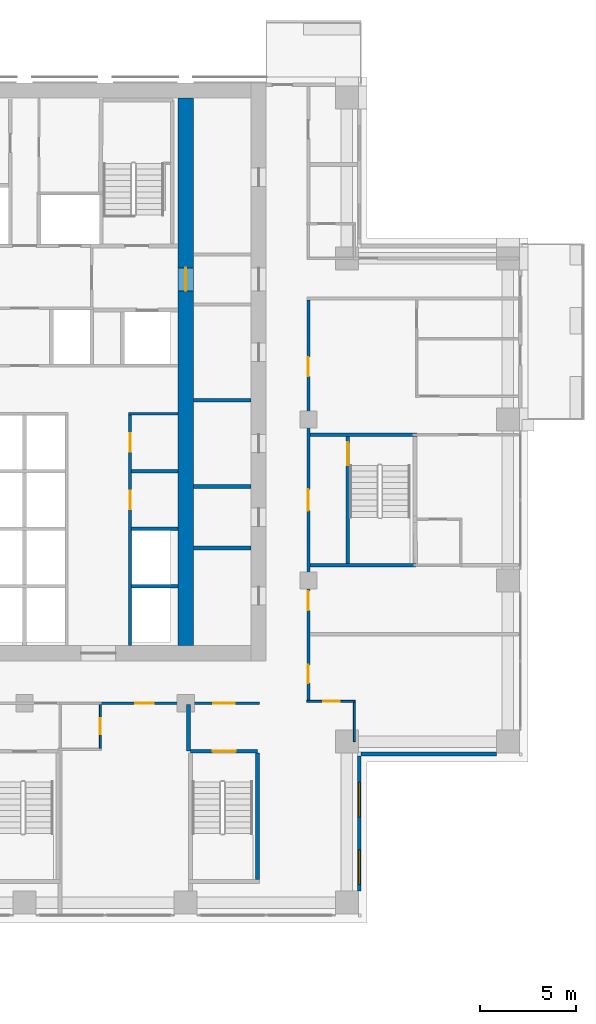
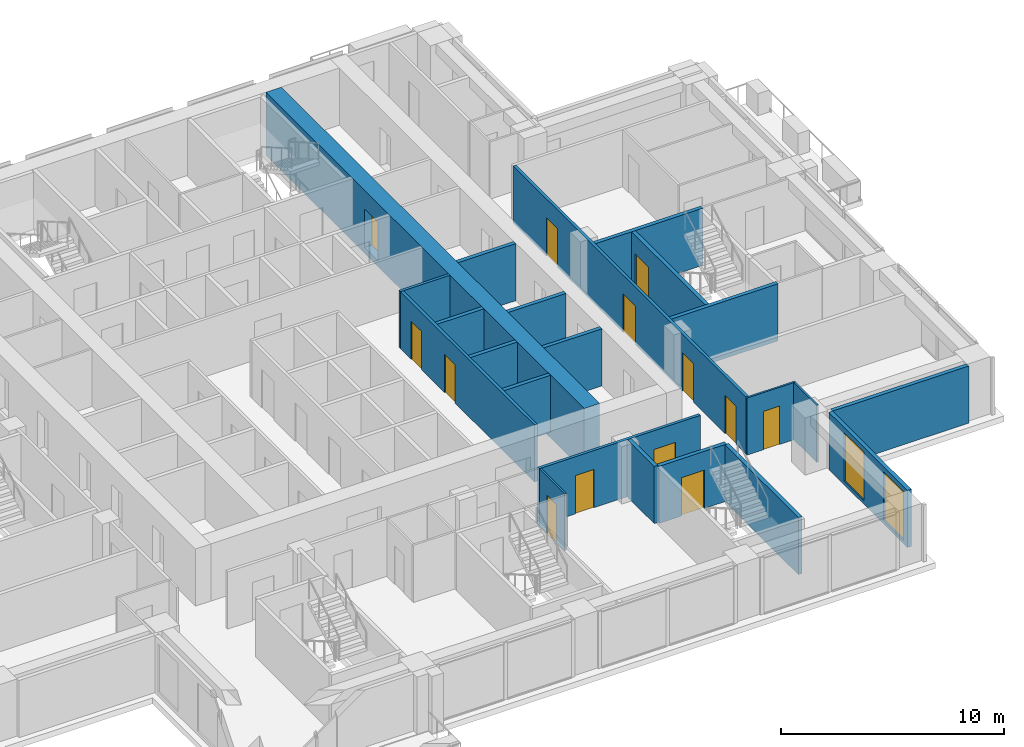
# One storey, part 9 of 17: 22 walls, 13 doors, 2 windows, 15 openings.
"""IFC4 building model written with IfcOpenShell, lengths in metres."""

from ifc_helpers import new_model, si_unit, direction, frame, frame_2d, origin, place, context, subcontext, project, spatial, rectangle, extrude, material, layer, layer_set, type_object, element, fill, save


model = new_model("IFC4")

# Units and contexts
model_context = context("Model", 3, precision=1e-05, world=origin(), true_north=direction((0.0, 1.0)))
body_context = subcontext(model_context, "Body", "Model", "MODEL_VIEW")
ifc_project = project(units=[si_unit("LENGTHUNIT", "METRE"), si_unit("AREAUNIT", "SQUARE_METRE"), si_unit("VOLUMEUNIT", "CUBIC_METRE"), si_unit("PLANEANGLEUNIT", "RADIAN"), si_unit("MASSUNIT", "GRAM", prefix="KILO")], contexts=[model_context])

# Site, building, storey
site_placement = place(None, origin())
site = spatial("IfcSite", under=ifc_project, at=site_placement, CompositionType="ELEMENT")
building_placement = place(site_placement, origin())
building = spatial("IfcBuilding", under=site, at=building_placement, Name="Vermilion Ogive Tower", CompositionType="ELEMENT")
storey_placement = place(building_placement, frame((0.0, 0.0, 87.300048828125)))
storey = spatial("IfcBuildingStorey", under=building, at=storey_placement, Name="L21", CompositionType="ELEMENT", Elevation=87.300048828125)

# Wall, opening, door
ifc_material_1 = material(Name="Concrete B80", Category="concrete")
ifc_layer_1 = layer(ifc_material_1, 0.800048828125)
ifc_layer_set_1 = layer_set([ifc_layer_1], Name="Core wall 800 B80")
wall_type_1 = type_object("IfcWallType", Name="Core wall 800 B80", PredefinedType="SHEAR", material=ifc_layer_set_1)
wall_1_placement = place(storey_placement, frame((8.39990234375, -7.60009765625, -0.320068359375), z_axis=(0.0, 0.0, 1.0), x_axis=(0.0, 1.0, 0.0)))
wall_1 = element("IfcWall", 1, at=wall_1_placement, inside=storey, type_object=wall_type_1, Name="L21-CORE-WEB2", PredefinedType="SHEAR", context=body_context, shape_type="SweptSolid", body=[
    extrude(rectangle(XDim=28.550048828125, YDim=0.800048828125, at=frame_2d((14.27490234375, 0.0))), origin(), (0.0, 0.0, 1.0), 3.449951171875),
])
opening_1_placement = place(wall_1_placement, frame((18.5, 0.0, 0.320068359375)))
opening_1 = element("IfcOpeningElement", 2, at=opening_1_placement, cuts=wall_1, Name="Opening DAO007", PredefinedType="OPENING", context=body_context, shape_type="SweptSolid", body=[
    extrude(rectangle(XDim=1.199951171875, YDim=2.10009765625, at=frame_2d((0.60009765625, 1.050048828125))), frame((0.0, 0.409912109375, 0.0), z_axis=(0.0, -1.0, 0.0), x_axis=(1.0, 0.0, 0.0)), (0.0, 0.0, 1.0), 0.820068359375),
])
ifc_material_2 = material(Name="Timber door leaf", Category="wood")
door_type_1 = type_object("IfcDoorType", Name="Link door 1200 x 2100 FD60S", OperationType="SINGLE_SWING_LEFT", PredefinedType="DOOR", material=ifc_material_2)
door_1_placement = place(opening_1_placement, origin())
door_1 = element("IfcDoor", 3, at=door_1_placement, inside=storey, type_object=door_type_1, Name="L21-CKE-XW", OperationType="SINGLE_SWING_LEFT", OverallHeight=2.10009765625, OverallWidth=1.199951171875, PredefinedType="DOOR", context=body_context, shape_type="SweptSolid", body=[
    extrude(rectangle(XDim=1.199951171875, YDim=2.10009765625, at=frame_2d((0.60009765625, 1.050048828125))), frame((0.0, 0.02490234375, 0.0), z_axis=(0.0, -1.0, 0.0), x_axis=(1.0, 0.0, 0.0)), (0.0, 0.0, 1.0), 0.050048828125),
])
fill(opening_1, door_1)

ifc_material_3 = material(Name="Gypsum board partition on steel studs", Category="steel")
ifc_layer_2 = layer(ifc_material_3, 0.10009765625)
ifc_layer_set_2 = layer_set([ifc_layer_2], Name="Partition 100 bath")
wall_type_2 = type_object("IfcWallType", Name="Partition 100 bath", PredefinedType="PARTITIONING", material=ifc_layer_set_2)
wall_2_placement = place(storey_placement, frame((14.72509765625, -10.5, 0.0), z_axis=(0.0, 0.0, 1.0), x_axis=(1.0, 0.0, 0.0)))
wall_2 = element("IfcWall", 4, at=wall_2_placement, inside=storey, type_object=wall_type_2, Name="L21-W-W012", PredefinedType="PARTITIONING", context=body_context, shape_type="SweptSolid", body=[
    extrude(rectangle(XDim=2.52490234375, YDim=0.10009765625, at=frame_2d((1.262451171875, 0.0))), origin(), (0.0, 0.0, 1.0), 3.1298828125),
])
opening_2_placement = place(wall_2_placement, frame((0.849853515625, 0.0, 0.0)))
opening_2 = element("IfcOpeningElement", 5, at=opening_2_placement, cuts=wall_2, Name="Opening D2G1014", PredefinedType="OPENING", context=body_context, shape_type="SweptSolid", body=[
    extrude(rectangle(XDim=0.85009765625, YDim=2.10009765625, at=frame_2d((0.425048828125, 1.050048828125))), frame((0.0, 0.06005859375, 0.0), z_axis=(0.0, -1.0, 0.0), x_axis=(1.0, 0.0, 0.0)), (0.0, 0.0, 1.0), 0.1201171875),
])
ifc_material_4 = material(Name="Timber door leaf", Category="wood")
door_type_2 = type_object("IfcDoorType", Name="Bath door 850 x 2100 FD30", OperationType="SINGLE_SWING_LEFT", PredefinedType="DOOR", material=ifc_material_4)
door_2_placement = place(opening_2_placement, origin())
door_2 = element("IfcDoor", 6, at=door_2_placement, inside=storey, type_object=door_type_2, Name="L21-D-D014", OperationType="SINGLE_SWING_RIGHT", OverallHeight=2.10009765625, OverallWidth=0.85009765625, PredefinedType="DOOR", context=body_context, shape_type="SweptSolid", body=[
    extrude(rectangle(XDim=0.85009765625, YDim=2.10009765625, at=frame_2d((0.425048828125, 1.050048828125))), frame((0.0, 0.02490234375, 0.0), z_axis=(0.0, -1.0, 0.0), x_axis=(1.0, 0.0, 0.0)), (0.0, 0.0, 1.0), 0.050048828125),
])
fill(opening_2, door_2)

wall_3_placement = place(storey_placement, frame((3.949951171875, -12.949951171875, 0.0), z_axis=(0.0, 0.0, 1.0), x_axis=(0.0, 1.0, 0.0)))
wall_3 = element("IfcWall", 7, at=wall_3_placement, inside=storey, type_object=wall_type_2, Name="L21-W-W055", PredefinedType="PARTITIONING", context=body_context, shape_type="SweptSolid", body=[
    extrude(rectangle(XDim=2.27490234375, YDim=0.10009765625, at=frame_2d((1.137451171875, 0.0))), origin(), (0.0, 0.0, 1.0), 3.1298828125),
])
opening_3_placement = place(wall_3_placement, frame((0.724853515625, 0.0, 0.0)))
opening_3 = element("IfcOpeningElement", 8, at=opening_3_placement, cuts=wall_3, Name="Opening D2G1012", PredefinedType="OPENING", context=body_context, shape_type="SweptSolid", body=[
    extrude(rectangle(XDim=0.85009765625, YDim=2.10009765625, at=frame_2d((0.425048828125, 1.050048828125))), frame((0.0, 0.06005859375, 0.0), z_axis=(0.0, -1.0, 0.0), x_axis=(1.0, 0.0, 0.0)), (0.0, 0.0, 1.0), 0.1201171875),
])
door_3_placement = place(opening_3_placement, origin())
door_3 = element("IfcDoor", 9, at=door_3_placement, inside=storey, type_object=door_type_2, Name="L21-D-D012", OperationType="SINGLE_SWING_LEFT", OverallHeight=2.10009765625, OverallWidth=0.85009765625, PredefinedType="DOOR", context=body_context, shape_type="SweptSolid", body=[
    extrude(rectangle(XDim=0.85009765625, YDim=2.10009765625, at=frame_2d((0.425048828125, 1.050048828125))), frame((0.0, 0.02490234375, 0.0), z_axis=(0.0, -1.0, 0.0), x_axis=(1.0, 0.0, 0.0)), (0.0, 0.0, 1.0), 0.050048828125),
])
fill(opening_3, door_3)

# Wall
wall_4_placement = place(storey_placement, frame((17.199951171875, -12.60009765625, 0.0), z_axis=(0.0, 0.0, 1.0), x_axis=(0.0, 1.0, 0.0)))
element("IfcWall", 10, at=wall_4_placement, inside=storey, type_object=wall_type_2, Name="L21-W-W061", PredefinedType="PARTITIONING", context=body_context, shape_type="SweptSolid", body=[
    extrude(rectangle(XDim=2.050048828125, YDim=0.10009765625, at=frame_2d((1.02490234375, 0.0))), origin(), (0.0, 0.0, 1.0), 3.1298828125),
])

# Wall, openings, doors
ifc_material_5 = material(Name="Gypsum board partition on steel studs", Category="steel")
ifc_layer_3 = layer(ifc_material_5, 0.14990234375)
ifc_layer_set_3 = layer_set([ifc_layer_3], Name="Partition 150 corridor")
wall_type_3 = type_object("IfcWallType", Name="Partition 150 corridor", PredefinedType="PARTITIONING", material=ifc_layer_set_3)
wall_5_placement = place(storey_placement, frame((3.89990234375, -10.60009765625, 0.0), z_axis=(0.0, 0.0, 1.0), x_axis=(1.0, 0.0, 0.0)))
wall_5 = element("IfcWall", 11, at=wall_5_placement, inside=storey, type_object=wall_type_3, Name="L21-W-W011", PredefinedType="PARTITIONING", context=body_context, shape_type="SweptSolid", body=[
    extrude(rectangle(XDim=8.35009765625, YDim=0.14990234375, at=frame_2d((4.175048828125, 0.0))), origin(), (0.0, 0.0, 1.0), 3.1298828125),
])
opening_4_placement = place(wall_5_placement, frame((1.875, 0.0, 0.0)))
opening_4 = element("IfcOpeningElement", 12, at=opening_4_placement, cuts=wall_5, Name="Opening D2G1011", PredefinedType="OPENING", context=body_context, shape_type="SweptSolid", body=[
    extrude(rectangle(XDim=0.949951171875, YDim=2.10009765625, at=frame_2d((0.47509765625, 1.050048828125))), frame((0.0, 0.0849609375, 0.0), z_axis=(0.0, -1.0, 0.0), x_axis=(1.0, 0.0, 0.0)), (0.0, 0.0, 1.0), 0.169921875),
])
opening_5_placement = place(wall_5_placement, frame((5.9501953125, 0.0, 0.0)))
opening_5 = element("IfcOpeningElement", 13, at=opening_5_placement, cuts=wall_5, Name="Opening D2G1027", PredefinedType="OPENING", context=body_context, shape_type="SweptSolid", body=[
    extrude(rectangle(XDim=1.10009765625, YDim=2.10009765625, at=frame_2d((0.550048828125, 1.050048828125))), frame((0.0, 0.0849609375, 0.0), z_axis=(0.0, -1.0, 0.0), x_axis=(1.0, 0.0, 0.0)), (0.0, 0.0, 1.0), 0.169921875),
])
ifc_material_6 = material(Name="Timber door leaf", Category="wood")
door_type_3 = type_object("IfcDoorType", Name="Stair door 1100 x 2100 FD60S", OperationType="SINGLE_SWING_LEFT", PredefinedType="DOOR", material=ifc_material_6)
door_4_placement = place(opening_5_placement, origin())
door_4 = element("IfcDoor", 14, at=door_4_placement, inside=storey, type_object=door_type_3, Name="L21-D-D027", OperationType="SINGLE_SWING_LEFT", OverallHeight=2.10009765625, OverallWidth=1.10009765625, PredefinedType="DOOR", context=body_context, shape_type="SweptSolid", body=[
    extrude(rectangle(XDim=1.10009765625, YDim=2.10009765625, at=frame_2d((0.550048828125, 1.050048828125))), frame((0.0, 0.02490234375, 0.0), z_axis=(0.0, -1.0, 0.0), x_axis=(1.0, 0.0, 0.0)), (0.0, 0.0, 1.0), 0.050048828125),
])
fill(opening_5, door_4)
ifc_material_7 = material(Name="Timber door leaf", Category="wood")
door_type_4 = type_object("IfcDoorType", Name="Unit door 950 x 2100 FD30S", OperationType="SINGLE_SWING_LEFT", PredefinedType="DOOR", material=ifc_material_7)
door_5_placement = place(opening_4_placement, origin())
door_5 = element("IfcDoor", 15, at=door_5_placement, inside=storey, type_object=door_type_4, Name="L21-D-D011", OperationType="SINGLE_SWING_LEFT", OverallHeight=2.10009765625, OverallWidth=0.949951171875, PredefinedType="DOOR", context=body_context, shape_type="SweptSolid", body=[
    extrude(rectangle(XDim=0.949951171875, YDim=2.10009765625, at=frame_2d((0.47509765625, 1.050048828125))), frame((0.0, 0.02490234375, 0.0), z_axis=(0.0, -1.0, 0.0), x_axis=(1.0, 0.0, 0.0)), (0.0, 0.0, 1.0), 0.050048828125),
])
fill(opening_4, door_5)

wall_6_placement = place(storey_placement, frame((14.800048828125, -10.449951171875, 0.0), z_axis=(0.0, 0.0, 1.0), x_axis=(0.0, 1.0, 0.0)))
wall_6 = element("IfcWall", 16, at=wall_6_placement, inside=storey, type_object=wall_type_3, Name="L21-W-W057", PredefinedType="PARTITIONING", context=body_context, shape_type="SweptSolid", body=[
    extrude(rectangle(XDim=20.875, YDim=0.14990234375, at=frame_2d((10.4375, 0.0))), origin(), (0.0, 0.0, 1.0), 3.1298828125),
])
opening_6_placement = place(wall_6_placement, frame((0.89990234375, 0.0, 0.0)))
opening_6 = element("IfcOpeningElement", 17, at=opening_6_placement, cuts=wall_6, Name="Opening D2G1013", PredefinedType="OPENING", context=body_context, shape_type="SweptSolid", body=[
    extrude(rectangle(XDim=0.949951171875, YDim=2.10009765625, at=frame_2d((0.47509765625, 1.050048828125))), frame((0.0, 0.0849609375, 0.0), z_axis=(0.0, -1.0, 0.0), x_axis=(1.0, 0.0, 0.0)), (0.0, 0.0, 1.0), 0.169921875),
])
opening_7_placement = place(wall_6_placement, frame((16.89990234375, 0.0, 0.0)))
opening_7 = element("IfcOpeningElement", 18, at=opening_7_placement, cuts=wall_6, Name="Opening D2G1017", PredefinedType="OPENING", context=body_context, shape_type="SweptSolid", body=[
    extrude(rectangle(XDim=1.0, YDim=2.10009765625, at=frame_2d((0.5, 1.050048828125))), frame((0.0, 0.0849609375, 0.0), z_axis=(0.0, -1.0, 0.0), x_axis=(1.0, 0.0, 0.0)), (0.0, 0.0, 1.0), 0.169921875),
])
opening_8_placement = place(wall_6_placement, frame((9.89990234375, 0.0, 0.0)))
opening_8 = element("IfcOpeningElement", 19, at=opening_8_placement, cuts=wall_6, Name="Opening D2G1029", PredefinedType="OPENING", context=body_context, shape_type="SweptSolid", body=[
    extrude(rectangle(XDim=1.10009765625, YDim=2.10009765625, at=frame_2d((0.550048828125, 1.050048828125))), frame((0.0, 0.0849609375, 0.0), z_axis=(0.0, -1.0, 0.0), x_axis=(1.0, 0.0, 0.0)), (0.0, 0.0, 1.0), 0.169921875),
])
opening_9_placement = place(wall_6_placement, frame((4.699951171875, 0.0, 0.0)))
opening_9 = element("IfcOpeningElement", 20, at=opening_9_placement, cuts=wall_6, Name="Opening D2G1034", PredefinedType="OPENING", context=body_context, shape_type="SweptSolid", body=[
    extrude(rectangle(XDim=1.0, YDim=2.10009765625, at=frame_2d((0.5, 1.050048828125))), frame((0.0, 0.0849609375, 0.0), z_axis=(0.0, -1.0, 0.0), x_axis=(1.0, 0.0, 0.0)), (0.0, 0.0, 1.0), 0.169921875),
])
door_6_placement = place(opening_8_placement, origin())
door_6 = element("IfcDoor", 21, at=door_6_placement, inside=storey, type_object=door_type_3, Name="L21-D-D029", OperationType="SINGLE_SWING_LEFT", OverallHeight=2.10009765625, OverallWidth=1.10009765625, PredefinedType="DOOR", context=body_context, shape_type="SweptSolid", body=[
    extrude(rectangle(XDim=1.10009765625, YDim=2.10009765625, at=frame_2d((0.550048828125, 1.050048828125))), frame((0.0, 0.02490234375, 0.0), z_axis=(0.0, -1.0, 0.0), x_axis=(1.0, 0.0, 0.0)), (0.0, 0.0, 1.0), 0.050048828125),
])
fill(opening_8, door_6)
ifc_material_8 = material(Name="Timber door leaf", Category="wood")
door_type_5 = type_object("IfcDoorType", Name="Unit door 1000 x 2100 FD30S", OperationType="SINGLE_SWING_LEFT", PredefinedType="DOOR", material=ifc_material_8)
door_7_placement = place(opening_7_placement, origin())
door_7 = element("IfcDoor", 22, at=door_7_placement, inside=storey, type_object=door_type_5, Name="L21-D-D017", OperationType="SINGLE_SWING_RIGHT", OverallHeight=2.10009765625, OverallWidth=1.0, PredefinedType="DOOR", context=body_context, shape_type="SweptSolid", body=[
    extrude(rectangle(XDim=1.0, YDim=2.10009765625, at=frame_2d((0.5, 1.050048828125))), frame((0.0, 0.02490234375, 0.0), z_axis=(0.0, -1.0, 0.0), x_axis=(1.0, 0.0, 0.0)), (0.0, 0.0, 1.0), 0.050048828125),
])
fill(opening_7, door_7)
door_8_placement = place(opening_9_placement, origin())
door_8 = element("IfcDoor", 23, at=door_8_placement, inside=storey, type_object=door_type_5, Name="L21-D-D034", OperationType="SINGLE_SWING_RIGHT", OverallHeight=2.10009765625, OverallWidth=1.0, PredefinedType="DOOR", context=body_context, shape_type="SweptSolid", body=[
    extrude(rectangle(XDim=1.0, YDim=2.10009765625, at=frame_2d((0.5, 1.050048828125))), frame((0.0, 0.02490234375, 0.0), z_axis=(0.0, -1.0, 0.0), x_axis=(1.0, 0.0, 0.0)), (0.0, 0.0, 1.0), 0.050048828125),
])
fill(opening_9, door_8)
door_9_placement = place(opening_6_placement, origin())
door_9 = element("IfcDoor", 24, at=door_9_placement, inside=storey, type_object=door_type_4, Name="L21-D-D013", OperationType="SINGLE_SWING_RIGHT", OverallHeight=2.10009765625, OverallWidth=0.949951171875, PredefinedType="DOOR", context=body_context, shape_type="SweptSolid", body=[
    extrude(rectangle(XDim=0.949951171875, YDim=2.10009765625, at=frame_2d((0.47509765625, 1.050048828125))), frame((0.0, 0.02490234375, 0.0), z_axis=(0.0, -1.0, 0.0), x_axis=(1.0, 0.0, 0.0)), (0.0, 0.0, 1.0), 0.050048828125),
])
fill(opening_6, door_9)

# Wall
wall_7_placement = place(storey_placement, frame((5.425048828125, 4.5, 0.0), z_axis=(0.0, 0.0, 1.0), x_axis=(1.0, 0.0, 0.0)))
element("IfcWall", 25, at=wall_7_placement, inside=storey, type_object=wall_type_3, Name="L21-CK-W-W012", PredefinedType="PARTITIONING", context=body_context, shape_type="SweptSolid", body=[
    extrude(rectangle(XDim=2.573974609375, YDim=0.14990234375, at=frame_2d((1.287109375, 0.0))), origin(), (0.0, 0.0, 1.0), 3.1298828125),
])

# Wall, openings, doors
wall_8_placement = place(storey_placement, frame((5.5, -7.59912109375, 0.0), z_axis=(0.0, 0.0, 1.0), x_axis=(0.0, 1.0, 0.0)))
wall_8 = element("IfcWall", 26, at=wall_8_placement, inside=storey, type_object=wall_type_3, Name="L21-CK-W-W040", PredefinedType="PARTITIONING", context=body_context, shape_type="SweptSolid", body=[
    extrude(rectangle(XDim=12.024169921875, YDim=0.14990234375, at=frame_2d((6.01220703125, 0.0))), origin(), (0.0, 0.0, 1.0), 3.1298828125),
])
opening_10_placement = place(wall_8_placement, frame((7.1240234375, 0.0, 0.0)))
opening_10 = element("IfcOpeningElement", 27, at=opening_10_placement, cuts=wall_8, Name="Opening DAA143", PredefinedType="OPENING", context=body_context, shape_type="SweptSolid", body=[
    extrude(rectangle(XDim=0.949951171875, YDim=2.10009765625, at=frame_2d((0.47509765625, 1.050048828125))), frame((0.0, 0.0849609375, 0.0), z_axis=(0.0, -1.0, 0.0), x_axis=(1.0, 0.0, 0.0)), (0.0, 0.0, 1.0), 0.169921875),
])
opening_11_placement = place(wall_8_placement, frame((10.1240234375, 0.0, 0.0)))
opening_11 = element("IfcOpeningElement", 28, at=opening_11_placement, cuts=wall_8, Name="Opening DAA144", PredefinedType="OPENING", context=body_context, shape_type="SweptSolid", body=[
    extrude(rectangle(XDim=0.949951171875, YDim=2.10009765625, at=frame_2d((0.47509765625, 1.050048828125))), frame((0.0, 0.0849609375, 0.0), z_axis=(0.0, -1.0, 0.0), x_axis=(1.0, 0.0, 0.0)), (0.0, 0.0, 1.0), 0.169921875),
])
ifc_material_9 = material(Name="Timber door leaf", Category="wood")
door_type_6 = type_object("IfcDoorType", Name="Service door 950 x 2100 FD60", OperationType="SINGLE_SWING_LEFT", PredefinedType="DOOR", material=ifc_material_9)
door_10_placement = place(opening_10_placement, origin())
door_10 = element("IfcDoor", 29, at=door_10_placement, inside=storey, type_object=door_type_6, Name="L21-CK-D-D009", OperationType="SINGLE_SWING_RIGHT", OverallHeight=2.10009765625, OverallWidth=0.949951171875, PredefinedType="DOOR", context=body_context, shape_type="SweptSolid", body=[
    extrude(rectangle(XDim=0.949951171875, YDim=2.10009765625, at=frame_2d((0.47509765625, 1.050048828125))), frame((0.0, 0.02490234375, 0.0), z_axis=(0.0, -1.0, 0.0), x_axis=(1.0, 0.0, 0.0)), (0.0, 0.0, 1.0), 0.050048828125),
])
fill(opening_10, door_10)
door_11_placement = place(opening_11_placement, origin())
door_11 = element("IfcDoor", 30, at=door_11_placement, inside=storey, type_object=door_type_6, Name="L21-CK-D-D010", OperationType="SINGLE_SWING_RIGHT", OverallHeight=2.10009765625, OverallWidth=0.949951171875, PredefinedType="DOOR", context=body_context, shape_type="SweptSolid", body=[
    extrude(rectangle(XDim=0.949951171875, YDim=2.10009765625, at=frame_2d((0.47509765625, 1.050048828125))), frame((0.0, 0.02490234375, 0.0), z_axis=(0.0, -1.0, 0.0), x_axis=(1.0, 0.0, 0.0)), (0.0, 0.0, 1.0), 0.050048828125),
])
fill(opening_11, door_11)

# Walls
ifc_material_10 = material(Name="Gypsum board partition on steel studs", Category="steel")
ifc_layer_4 = layer(ifc_material_10, 0.199951171875)
ifc_layer_set_4 = layer_set([ifc_layer_4], Name="Partition 200 party")
wall_type_4 = type_object("IfcWallType", Name="Partition 200 party", PredefinedType="PARTITIONING", material=ifc_layer_set_4)
wall_9_placement = place(storey_placement, frame((8.550048828125, -13.10009765625, 0.0), z_axis=(0.0, 0.0, 1.0), x_axis=(0.0, 1.0, 0.0)))
element("IfcWall", 31, at=wall_9_placement, inside=storey, type_object=wall_type_4, Name="L21-W-W056", PredefinedType="PARTITIONING", context=body_context, shape_type="SweptSolid", body=[
    extrude(rectangle(XDim=2.425048828125, YDim=0.199951171875, at=frame_2d((1.21240234375, 0.0))), origin(), (0.0, 0.0, 1.0), 3.1298828125),
])
for number, where, z_axis, x_axis, name in (
    (32, (5.574951171875, -4.5, 0.0), (0.0, 0.0, 1.0), (1.0, 0.0, 0.0), "L21-CK-W-W003"),
    (33, (5.574951171875, -1.5, 0.0), (0.0, 0.0, 1.0), (1.0, 0.0, 0.0), "L21-CK-W-W006"),
    (34, (5.574951171875, 1.5, 0.0), (0.0, 0.0, 1.0), (1.0, 0.0, 0.0), "L21-CK-W-W009"),
):
    element("IfcWall", number, at=place(storey_placement, frame(where, z_axis=z_axis, x_axis=x_axis)), inside=storey, type_object=wall_type_4, Name=name, PredefinedType="PARTITIONING", context=body_context, shape_type="SweptSolid", body=[
        extrude(rectangle(XDim=2.424072265625, YDim=0.199951171875, at=frame_2d((1.2119140625, 0.0))), origin(), (0.0, 0.0, 1.0), 3.1298828125),
    ])
for number, where, z_axis, x_axis, name in (
    (35, (8.801025390625, -2.5, 0.0), (0.0, 0.0, 1.0), (1.0, 0.0, 0.0), "L21-CKE-W-W001"),
    (36, (8.801025390625, 0.699951171875, 0.0), (0.0, 0.0, 1.0), (1.0, 0.0, 0.0), "L21-CKE-W-W002"),
    (37, (8.801025390625, 5.199951171875, 0.0), (0.0, 0.0, 1.0), (1.0, 0.0, 0.0), "L21-CKE-W-W003"),
):
    element("IfcWall", number, at=place(storey_placement, frame(where, z_axis=z_axis, x_axis=x_axis)), inside=storey, type_object=wall_type_4, Name=name, PredefinedType="PARTITIONING", context=body_context, shape_type="SweptSolid", body=[
        extrude(rectangle(XDim=2.998046875, YDim=0.199951171875, at=frame_2d((1.4990234375, 0.0))), origin(), (0.0, 0.0, 1.0), 3.1298828125),
    ])

# Wall, opening, door
ifc_material_11 = material(Name="Concrete B60", Category="concrete")
ifc_layer_5 = layer(ifc_material_11, 0.199951171875)
ifc_layer_set_5 = layer_set([ifc_layer_5], Name="Stair shaft wall 200 Concrete B60")
wall_type_5 = type_object("IfcWallType", Name="Stair shaft wall 200 Concrete B60", PredefinedType="SOLIDWALL", material=ifc_layer_set_5)
wall_10_placement = place(storey_placement, frame((8.64990234375, -13.10009765625, 0.0), z_axis=(0.0, 0.0, 1.0), x_axis=(1.0, 0.0, 0.0)))
wall_10 = element("IfcWall", 38, at=wall_10_placement, inside=storey, type_object=wall_type_5, Name="L21-W-W004", PredefinedType="SOLIDWALL", context=body_context, shape_type="SweptSolid", body=[
    extrude(rectangle(XDim=3.5, YDim=0.199951171875, at=frame_2d((1.75, 0.0))), origin(), (0.0, 0.0, 1.0), 3.1298828125),
])
opening_12_placement = place(wall_10_placement, frame((1.150146484375, 0.0, 0.0)))
opening_12 = element("IfcOpeningElement", 39, at=opening_12_placement, cuts=wall_10, Name="Opening D2G1028", PredefinedType="OPENING", context=body_context, shape_type="SweptSolid", body=[
    extrude(rectangle(XDim=1.199951171875, YDim=2.10009765625, at=frame_2d((0.60009765625, 1.050048828125))), frame((0.0, 0.10986328125, 0.0), z_axis=(0.0, -1.0, 0.0), x_axis=(1.0, 0.0, 0.0)), (0.0, 0.0, 1.0), 0.219970703125),
])
ifc_material_12 = material(Name="Timber door leaf", Category="wood")
door_type_7 = type_object("IfcDoorType", Name="Stair door 1200 x 2100 FD60S", OperationType="SINGLE_SWING_LEFT", PredefinedType="DOOR", material=ifc_material_12)
door_12_placement = place(opening_12_placement, origin())
door_12 = element("IfcDoor", 40, at=door_12_placement, inside=storey, type_object=door_type_7, Name="L21-D-D028", OperationType="SINGLE_SWING_RIGHT", OverallHeight=2.10009765625, OverallWidth=1.199951171875, PredefinedType="DOOR", context=body_context, shape_type="SweptSolid", body=[
    extrude(rectangle(XDim=1.199951171875, YDim=2.10009765625, at=frame_2d((0.60009765625, 1.050048828125))), frame((0.0, 0.02490234375, 0.0), z_axis=(0.0, -1.0, 0.0), x_axis=(1.0, 0.0, 0.0)), (0.0, 0.0, 1.0), 0.050048828125),
])
fill(opening_12, door_12)

# Walls
wall_11_placement = place(storey_placement, frame((14.875, -3.39990234375, 0.0), z_axis=(0.0, 0.0, 1.0), x_axis=(1.0, 0.0, 0.0)))
element("IfcWall", 41, at=wall_11_placement, inside=storey, type_object=wall_type_5, Name="L21-W-W018", PredefinedType="SOLIDWALL", context=body_context, shape_type="SweptSolid", body=[
    extrude(rectangle(XDim=5.52490234375, YDim=0.199951171875, at=frame_2d((2.762451171875, 0.0))), origin(), (0.0, 0.0, 1.0), 3.1298828125),
])
wall_12_placement = place(storey_placement, frame((14.875, 3.39990234375, 0.0), z_axis=(0.0, 0.0, 1.0), x_axis=(1.0, 0.0, 0.0)))
element("IfcWall", 42, at=wall_12_placement, inside=storey, type_object=wall_type_5, Name="L21-W-W025", PredefinedType="SOLIDWALL", context=body_context, shape_type="SweptSolid", body=[
    extrude(rectangle(XDim=5.574951171875, YDim=0.199951171875, at=frame_2d((2.78759765625, 0.0))), origin(), (0.0, 0.0, 1.0), 3.1298828125),
])

# Wall, opening, door
wall_13_placement = place(storey_placement, frame((16.85009765625, -3.300048828125, 0.0), z_axis=(0.0, 0.0, 1.0), x_axis=(0.0, 1.0, 0.0)))
wall_13 = element("IfcWall", 43, at=wall_13_placement, inside=storey, type_object=wall_type_5, Name="L21-W-W060", PredefinedType="SOLIDWALL", context=body_context, shape_type="SweptSolid", body=[
    extrude(rectangle(XDim=6.60009765625, YDim=0.199951171875, at=frame_2d((3.300048828125, 0.0))), origin(), (0.0, 0.0, 1.0), 3.1298828125),
])
opening_13_placement = place(wall_13_placement, frame((5.10009765625, 0.0, 0.0)))
opening_13 = element("IfcOpeningElement", 44, at=opening_13_placement, cuts=wall_13, Name="Opening D2G1030", PredefinedType="OPENING", context=body_context, shape_type="SweptSolid", body=[
    extrude(rectangle(XDim=1.199951171875, YDim=2.10009765625, at=frame_2d((0.60009765625, 1.050048828125))), frame((0.0, 0.10986328125, 0.0), z_axis=(0.0, -1.0, 0.0), x_axis=(1.0, 0.0, 0.0)), (0.0, 0.0, 1.0), 0.219970703125),
])
door_13_placement = place(opening_13_placement, origin())
door_13 = element("IfcDoor", 45, at=door_13_placement, inside=storey, type_object=door_type_7, Name="L21-D-D030", OperationType="SINGLE_SWING_LEFT", OverallHeight=2.10009765625, OverallWidth=1.199951171875, PredefinedType="DOOR", context=body_context, shape_type="SweptSolid", body=[
    extrude(rectangle(XDim=1.199951171875, YDim=2.10009765625, at=frame_2d((0.60009765625, 1.050048828125))), frame((0.0, 0.02490234375, 0.0), z_axis=(0.0, -1.0, 0.0), x_axis=(1.0, 0.0, 0.0)), (0.0, 0.0, 1.0), 0.050048828125),
])
fill(opening_13, door_13)

# Wall
wall_14_placement = place(storey_placement, frame((12.14990234375, -19.800048828125, 0.0), z_axis=(0.0, 0.0, 1.0), x_axis=(0.0, 1.0, 0.0)))
element("IfcWall", 46, at=wall_14_placement, inside=storey, type_object=wall_type_5, Name="L21-SW-ST5-E1", PredefinedType="SOLIDWALL", context=body_context, shape_type="SweptSolid", body=[
    extrude(rectangle(XDim=6.60009765625, YDim=0.199951171875, at=frame_2d((3.300048828125, 0.0))), origin(), (0.0, 0.0, 1.0), 3.1298828125),
])

# Wall, openings, windows
ifc_material_13 = material(Name="Aluminium window wall framing", Category="aluminium")
ifc_layer_6 = layer(ifc_material_13, 0.199951171875)
ifc_layer_set_6 = layer_set([ifc_layer_6], Name="Window wall")
wall_type_6 = type_object("IfcWallType", Name="Window wall", PredefinedType="STANDARD", material=ifc_layer_set_6)
wall_15_placement = place(storey_placement, frame((17.449951171875, -20.39990234375, 0.0), z_axis=(0.0, 0.0, 1.0), x_axis=(0.0, 1.0, 0.0)))
wall_15 = element("IfcWall", 47, at=wall_15_placement, inside=storey, type_object=wall_type_6, Name="Window wall X11", PredefinedType="STANDARD", context=body_context, shape_type="SweptSolid", body=[
    extrude(rectangle(XDim=7.0498046875, YDim=0.199951171875, at=frame_2d((3.52490234375, 0.0))), origin(), (0.0, 0.0, 1.0), 3.1298828125),
])
opening_14_placement = place(wall_15_placement, frame((0.35009765625, 0.0, 0.199951171875)))
opening_14 = element("IfcOpeningElement", 48, at=opening_14_placement, cuts=wall_15, Name="Opening W1-X195", PredefinedType="OPENING", context=body_context, shape_type="SweptSolid", body=[
    extrude(rectangle(XDim=1.800048828125, YDim=2.64990234375, at=frame_2d((0.89990234375, 1.324951171875))), frame((0.0, 0.10986328125, 0.0), z_axis=(0.0, -1.0, 0.0), x_axis=(1.0, 0.0, 0.0)), (0.0, 0.0, 1.0), 0.219970703125),
])
opening_15_placement = place(wall_15_placement, frame((3.875, 0.0, 0.199951171875)))
opening_15 = element("IfcOpeningElement", 49, at=opening_15_placement, cuts=wall_15, Name="Opening W1-X196", PredefinedType="OPENING", context=body_context, shape_type="SweptSolid", body=[
    extrude(rectangle(XDim=1.800048828125, YDim=2.64990234375, at=frame_2d((0.89990234375, 1.324951171875))), frame((0.0, 0.10986328125, 0.0), z_axis=(0.0, -1.0, 0.0), x_axis=(1.0, 0.0, 0.0)), (0.0, 0.0, 1.0), 0.219970703125),
])
ifc_material_14 = material(Name="Aluminium framed double glazing", Category="aluminium")
window_type = type_object("IfcWindowType", Name="Guest window W1", PartitioningType="SINGLE_PANEL", PredefinedType="WINDOW", material=ifc_material_14)
window_1_placement = place(opening_14_placement, origin())
window_1 = element("IfcWindow", 50, at=window_1_placement, inside=storey, type_object=window_type, Name="Window X195", OverallHeight=2.64990234375, OverallWidth=1.800048828125, PartitioningType="SINGLE_PANEL", PredefinedType="WINDOW", context=body_context, shape_type="SweptSolid", body=[
    extrude(rectangle(XDim=1.800048828125, YDim=2.64990234375, at=frame_2d((0.89990234375, 1.324951171875))), frame((0.0, 0.030029296875, 0.0), z_axis=(0.0, -1.0, 0.0), x_axis=(1.0, 0.0, 0.0)), (0.0, 0.0, 1.0), 0.06005859375),
])
fill(opening_14, window_1)
window_2_placement = place(opening_15_placement, origin())
window_2 = element("IfcWindow", 51, at=window_2_placement, inside=storey, type_object=window_type, Name="Window X196", OverallHeight=2.64990234375, OverallWidth=1.800048828125, PartitioningType="SINGLE_PANEL", PredefinedType="WINDOW", context=body_context, shape_type="SweptSolid", body=[
    extrude(rectangle(XDim=1.800048828125, YDim=2.64990234375, at=frame_2d((0.89990234375, 1.324951171875))), frame((0.0, 0.030029296875, 0.0), z_axis=(0.0, -1.0, 0.0), x_axis=(1.0, 0.0, 0.0)), (0.0, 0.0, 1.0), 0.06005859375),
])
fill(opening_15, window_2)

# Wall
wall_16_placement = place(storey_placement, frame((17.550048828125, -13.25, 0.0), z_axis=(0.0, 0.0, 1.0), x_axis=(1.0, 0.0, 0.0)))
element("IfcWall", 52, at=wall_16_placement, inside=storey, type_object=wall_type_6, Name="Window wall X21", PredefinedType="STANDARD", context=body_context, shape_type="SweptSolid", body=[
    extrude(rectangle(XDim=7.050048828125, YDim=0.199951171875, at=frame_2d((3.52490234375, 0.0))), origin(), (0.0, 0.0, 1.0), 3.1298828125),
])

save(model, "model.ifc")
